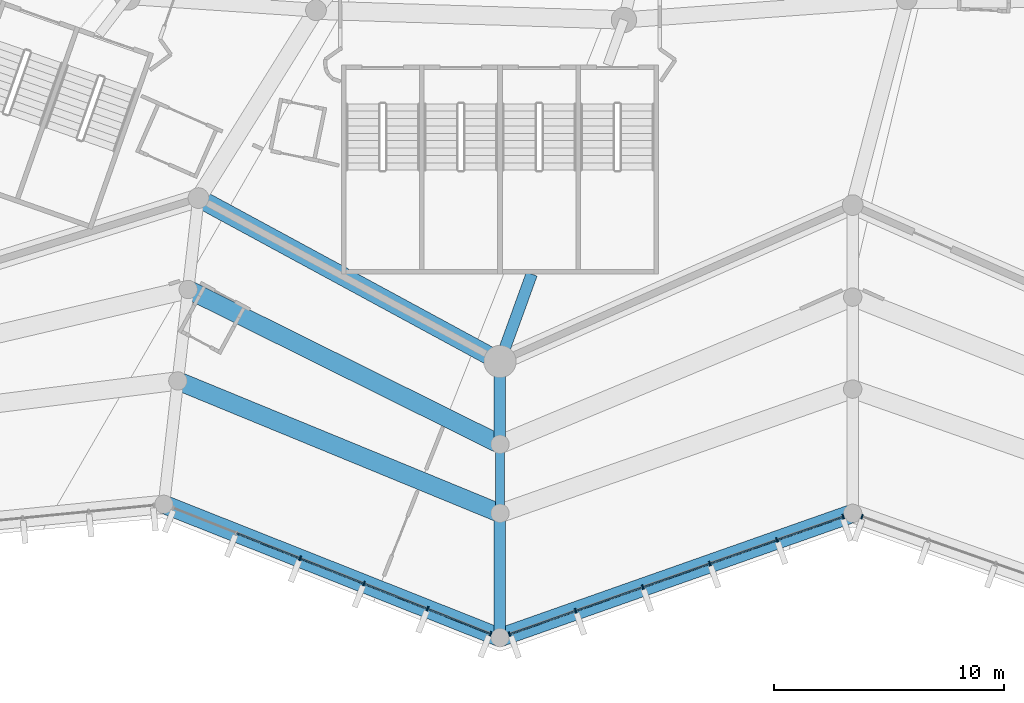
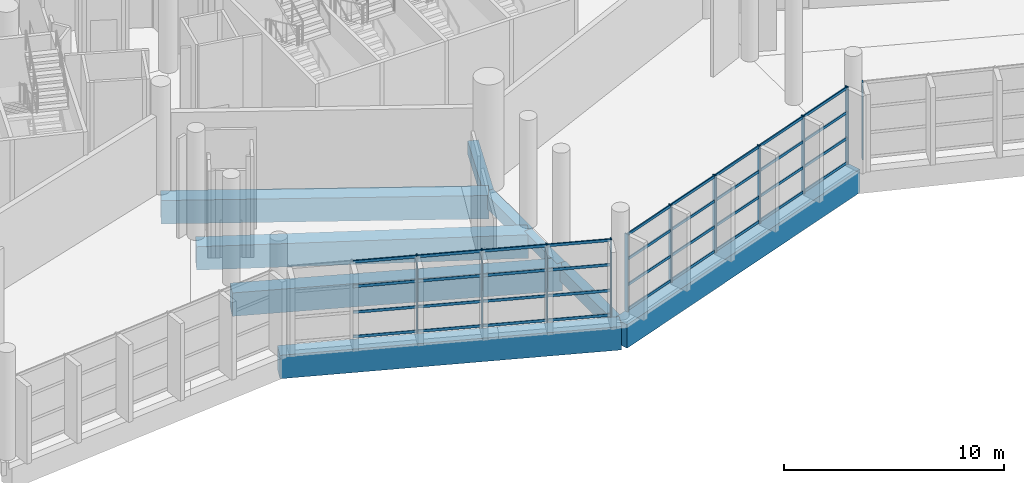
# One storey, part 12 of 249: 47 members, 9 beams, 3 elements without a shape of their own.
"""IFC4 building model written with IfcOpenShell, lengths in metres."""

import ifcopenshell
import ifcopenshell.guid

model = None  # the IFC model being written
_history = None  # IfcOwnerHistory: only IFC2X3 demands one
_inside = {}  # id of a spatial element -> (the spatial element, [elements in it])
_under = {}  # id of a project, library or spatial element -> (it, [spatial elements below it])
_declared = {}  # id of a project -> (the project, [libraries it declares])
_typed = {}  # id of a type object -> (the type object, [elements of that type])
_made_of = {}  # id of a material, layer set ... -> (it, [elements and type objects made of it])


def new_model(schema):
    """Start an empty IFC model of exactly this schema.

    Asked for "IFC4X3", IfcOpenShell would pick the latest addendum, in which some entities
    have other attributes; the version numbers below select the first issue.
    IFC2X3 requires an IfcOwnerHistory on every rooted entity: one is made here for all.
    """
    global model, _history
    if schema == "IFC4X3":
        model = ifcopenshell.file(schema_version=(4, 3, 0, 0))
    else:
        model = ifcopenshell.file(schema=schema)
    _inside.clear()
    _under.clear()
    _declared.clear()
    _typed.clear()
    _made_of.clear()
    _history = None
    if model.schema == "IFC2X3":
        org = make("IfcOrganization", Name="unknown")
        user = make(
            "IfcPersonAndOrganization",
            ThePerson=make("IfcPerson", FamilyName="unknown"),
            TheOrganization=org,
        )
        app = make(
            "IfcApplication",
            ApplicationDeveloper=org,
            Version="unknown",
            ApplicationFullName="unknown",
            ApplicationIdentifier="unknown",
        )
        _history = make(
            "IfcOwnerHistory",
            OwningUser=user,
            OwningApplication=app,
            ChangeAction="ADDED",
            CreationDate=0,
        )
    return model


def make(cls, **values):
    """One entity of the class cls with the attributes given. An attribute that is None is left unset."""
    return model.create_entity(
        cls, **{name: value for name, value in values.items() if value is not None}
    )


def rooted(cls, **values):
    """An entity with a GlobalId (a new one), such as an element, a storey or a relation."""
    return make(cls, GlobalId=ifcopenshell.guid.new(), OwnerHistory=_history, **values)


def si_unit(unit_type, name, prefix=None):
    """IfcSIUnit, for example si_unit("LENGTHUNIT", "METRE", prefix="MILLI")."""
    return make("IfcSIUnit", UnitType=unit_type, Prefix=prefix, Name=name)


def assignment(units):
    """IfcUnitAssignment: the units of a project."""
    return None if units is None else make("IfcUnitAssignment", Units=units)


def point(xyz):
    """IfcCartesianPoint."""
    return None if xyz is None else make("IfcCartesianPoint", Coordinates=xyz)


def direction(xyz):
    """IfcDirection."""
    return None if xyz is None else make("IfcDirection", DirectionRatios=xyz)


def frame(location, z_axis=None, x_axis=None):
    """IfcAxis2Placement3D, a coordinate frame: its origin and axes. An axis left out is left unset."""
    return make(
        "IfcAxis2Placement3D",
        Location=point(location),
        Axis=direction(z_axis),
        RefDirection=direction(x_axis),
    )


def frame_2d(location, x_axis=None):
    """IfcAxis2Placement2D, a coordinate frame in the plane: its origin and x axis."""
    return make(
        "IfcAxis2Placement2D", Location=point(location), RefDirection=direction(x_axis)
    )


def origin():
    """The frame at (0, 0, 0) with its axes left unset."""
    return frame((0.0, 0.0, 0.0))


def origin_2d():
    """The frame at (0, 0) in the plane with its x axis left unset."""
    return frame_2d((0.0, 0.0))


def place(relative_to, where):
    """IfcLocalPlacement: puts the frame where relative to a parent placement (None: the world)."""
    return make(
        "IfcLocalPlacement", PlacementRelTo=relative_to, RelativePlacement=where
    )


def context(
    kind, dimensions, precision=None, world=None, true_north=None, identifier=None
):
    """IfcGeometricRepresentationContext, for example the 3D "Model" context."""
    return make(
        "IfcGeometricRepresentationContext",
        ContextIdentifier=identifier,
        ContextType=kind,
        CoordinateSpaceDimension=dimensions,
        Precision=precision,
        WorldCoordinateSystem=world,
        TrueNorth=true_north,
    )


def subcontext(parent, identifier, kind, view, scale=None):
    """IfcGeometricRepresentationSubContext, for example "Body" below "Model"."""
    return make(
        "IfcGeometricRepresentationSubContext",
        ContextIdentifier=identifier,
        ContextType=kind,
        ParentContext=parent,
        TargetScale=scale,
        TargetView=view,
    )


def project(units=None, contexts=None):
    """IfcProject with its units and contexts."""
    return rooted(
        "IfcProject",
        Name="project",
        RepresentationContexts=contexts,
        UnitsInContext=assignment(units),
    )


def spatial(cls, under=None, at=None, **own):
    """A site, building, storey or space (cls), placed at a placement, below another one or the project."""
    s = rooted(cls, ObjectPlacement=at, **own)
    if under is not None:
        _under.setdefault(under.id(), (under, []))[1].append(s)
    return s


def profile(cls, at=None, kind="AREA", **sizes):
    """A parametric profile (cls). Its sizes go by their IFC names, for example OverallWidth=200.0."""
    return make(cls, ProfileType=kind, Position=at, **sizes)


def rectangle(**sizes):
    """IfcRectangleProfileDef."""
    return profile("IfcRectangleProfileDef", **sizes)


def extrude(swept, where, along, depth):
    """IfcExtrudedAreaSolid: the profile swept, set in the frame where, extruded along a direction by depth."""
    return make(
        "IfcExtrudedAreaSolid",
        SweptArea=swept,
        Position=where,
        ExtrudedDirection=direction(along),
        Depth=depth,
    )


def shape(context_of_items, identifier, shape_type, items):
    """IfcShapeRepresentation: the items that make up one representation, for example the "Body"."""
    return make(
        "IfcShapeRepresentation",
        ContextOfItems=context_of_items,
        RepresentationIdentifier=identifier,
        RepresentationType=shape_type,
        Items=items,
    )


def material(Name=None, Category=None):
    """IfcMaterial."""
    return make("IfcMaterial", Name=Name, Category=Category)


def layer(
    of_material, thickness, ventilated=None, Name=None, Category=None, Priority=None
):
    """IfcMaterialLayer: one layer of a wall or slab, of a material (None: an air gap)."""
    return make(
        "IfcMaterialLayer",
        Material=of_material,
        LayerThickness=thickness,
        IsVentilated=ventilated,
        Name=Name,
        Category=Category,
        Priority=Priority,
    )


def layer_set(layers, Name=None):
    """IfcMaterialLayerSet."""
    return make("IfcMaterialLayerSet", MaterialLayers=layers, LayerSetName=Name)


def material_profile(
    of_material, cross_section, Name=None, Category=None, Priority=None
):
    """IfcMaterialProfile: a cross section and its material."""
    return make(
        "IfcMaterialProfile",
        Name=Name,
        Material=of_material,
        Profile=cross_section,
        Priority=Priority,
        Category=Category,
    )


def profile_set(profiles, Name=None, composite=None):
    """IfcMaterialProfileSet."""
    return make(
        "IfcMaterialProfileSet",
        Name=Name,
        MaterialProfiles=profiles,
        CompositeProfile=composite,
    )


def made_of(thing, what):
    """Note that an element or type object is made of a material, layer set ...; save() writes the relation."""
    if what is not None:
        _made_of.setdefault(what.id(), (what, []))[1].append(thing)
    return thing


def type_object(cls, material=None, **own):
    """A type object (cls), such as IfcWallType, which elements share."""
    return made_of(rooted(cls, **own), material)


def element(
    cls,
    number,
    at=None,
    inside=None,
    cuts=None,
    type_object=None,
    material=None,
    context=None,
    identifier="Body",
    shape_type=None,
    held_by="IfcProductDefinitionShape",
    body=None,
    shapes=None,
    **own,
):
    """One element of the class cls, such as IfcWall. Its Tag is "e" and its number.

    at: its placement. inside: the storey or other place that contains it. cuts: it is an
    opening in that element (IfcRelVoidsElement). A single representation is given by context,
    identifier, shape_type and body (its items); several are given by shapes. held_by: the class
    of the entity that holds the representations. save() writes the other relations.
    """
    e = rooted(cls, Tag="e%d" % number, ObjectPlacement=at, **own)
    if body is not None:
        shapes = [shape(context, identifier, shape_type, body)]
    if shapes is not None:
        e.Representation = make(held_by, Representations=shapes)
    if inside is not None:
        _inside.setdefault(inside.id(), (inside, []))[1].append(e)
    if cuts is not None:
        rooted(
            "IfcRelVoidsElement", RelatingBuildingElement=cuts, RelatedOpeningElement=e
        )
    if type_object is not None:
        _typed.setdefault(type_object.id(), (type_object, []))[1].append(e)
    return made_of(e, material)


def aggregate(whole, parts):
    """IfcRelAggregates: a whole, such as a stair, and the parts it consists of."""
    return rooted("IfcRelAggregates", RelatingObject=whole, RelatedObjects=parts)


def save(model, path):
    """Write the relations noted so far, then the file.

    IfcRelAggregates (storeys below a building ...), IfcRelContainedInSpatialStructure (elements
    in a storey), IfcRelDefinesByType, IfcRelAssociatesMaterial and IfcRelDeclares: one each for
    every whole, place, type object, material and project.
    """
    for whole, parts in _under.values():
        aggregate(whole, parts)
    for where, things in _inside.values():
        rooted(
            "IfcRelContainedInSpatialStructure",
            RelatedElements=things,
            RelatingStructure=where,
        )
    for kind, things in _typed.values():
        rooted("IfcRelDefinesByType", RelatedObjects=things, RelatingType=kind)
    for what, things in _made_of.values():
        rooted("IfcRelAssociatesMaterial", RelatedObjects=things, RelatingMaterial=what)
    for by, libraries in _declared.values():
        rooted("IfcRelDeclares", RelatingContext=by, RelatedDefinitions=libraries)
    model.write(path)


model = new_model("IFC4")

# Units and contexts
model_context = context("Model", 3, precision=1e-05, world=origin(), true_north=direction((0.0, 1.0)))
body_context = subcontext(model_context, "Body", "Model", "MODEL_VIEW")
ifc_project = project(units=[si_unit("LENGTHUNIT", "METRE"), si_unit("AREAUNIT", "SQUARE_METRE"), si_unit("VOLUMEUNIT", "CUBIC_METRE"), si_unit("PLANEANGLEUNIT", "RADIAN"), si_unit("MASSUNIT", "GRAM", prefix="KILO")], contexts=[model_context])

# Site, building, storey
site_placement = place(None, origin())
site = spatial("IfcSite", under=ifc_project, at=site_placement, CompositionType="ELEMENT")
building_placement = place(site_placement, origin())
building = spatial("IfcBuilding", under=site, at=building_placement, Name="Meseta Stadium", CompositionType="ELEMENT")
storey_placement = place(building_placement, frame((0.0, 0.0, 12.0)))
storey = spatial("IfcBuildingStorey", under=building, at=storey_placement, Name="L02", CompositionType="ELEMENT", Elevation=12.0)

# Beams
ifc_material_1 = material(Name="Concrete C40/50", Category="concrete")
ifc_material_profile_1 = material_profile(ifc_material_1, rectangle(XDim=0.39990234375, YDim=0.60009765625, at=origin_2d()), Name="RC 400x600")
ifc_profile_set_1 = profile_set([ifc_material_profile_1], Name="Concrete C40/50")
beam_type_1 = type_object("IfcBeamType", Name="RC beam 400x600", PredefinedType="BEAM", material=ifc_profile_set_1)
beam_1_placement = place(storey_placement, frame((-38.333251953125, -109.0, -0.64990234375), z_axis=(0.0, -1.0, 0.0), x_axis=(1.0, 0.0, 0.0)))
element("IfcBeam", 1, at=beam_1_placement, inside=storey, type_object=beam_type_1, Name="L02 radial beam frame 44 line M to Q", PredefinedType="BEAM", context=body_context, shape_type="SweptSolid", body=[
    extrude(rectangle(XDim=0.39990234375, YDim=0.60009765625, at=origin_2d()), origin(), (0.0, 0.0, 1.0), 3.0),
])
ifc_material_2 = material(Name="Concrete C40/50", Category="concrete")
ifc_material_profile_2 = material_profile(ifc_material_2, rectangle(XDim=0.5, YDim=0.75, at=origin_2d()), Name="RC 500x750")
ifc_profile_set_2 = profile_set([ifc_material_profile_2], Name="Concrete C40/50")
beam_type_2 = type_object("IfcBeamType", Name="RC beam 500x750", PredefinedType="BEAM", material=ifc_profile_set_2)
beam_2_placement = place(storey_placement, frame((-36.9541015625, -101.60009765625, -0.72509765625), z_axis=(-0.341175633366, -0.939999567658, 0.0), x_axis=(0.939999567658, -0.341175633366, 0.0)))
element("IfcBeam", 2, at=beam_2_placement, inside=storey, type_object=beam_type_2, Name="L02 radial beam frame 44 line P to R", PredefinedType="BEAM", context=body_context, shape_type="SweptSolid", body=[
    extrude(rectangle(XDim=0.5, YDim=0.75, at=origin_2d()), origin(), (0.0, 0.0, 1.0), 4.042236328125),
])
beam_3_placement = place(storey_placement, frame((-38.333251953125, -105.39990234375, -0.72509765625), z_axis=(0.0, -1.0, 0.0), x_axis=(1.0, 0.0, 0.0)))
element("IfcBeam", 3, at=beam_3_placement, inside=storey, type_object=beam_type_2, Name="L02 radial beam frame 44 line R to M", PredefinedType="BEAM", context=body_context, shape_type="SweptSolid", body=[
    extrude(rectangle(XDim=0.5, YDim=0.75, at=origin_2d()), origin(), (0.0, 0.0, 1.0), 3.60009765625),
])
beam_4_placement = place(storey_placement, frame((-38.333251953125, -112.0, -0.72509765625), z_axis=(0.0, -1.0, 0.0), x_axis=(1.0, 0.0, 0.0)))
element("IfcBeam", 4, at=beam_4_placement, inside=storey, type_object=beam_type_2, Name="L02 radial beam frame 44 line Q to O", PredefinedType="BEAM", context=body_context, shape_type="SweptSolid", body=[
    extrude(rectangle(XDim=0.5, YDim=0.75, at=origin_2d()), origin(), (0.0, 0.0, 1.0), 5.39990234375),
])
ifc_material_3 = material(Name="Concrete C40/50", Category="concrete")
ifc_material_profile_3 = material_profile(ifc_material_3, rectangle(XDim=0.800048828125, YDim=1.300048828125, at=origin_2d()), Name="RC 800x1300")
ifc_profile_set_3 = profile_set([ifc_material_profile_3], Name="Concrete C40/50")
beam_type_3 = type_object("IfcBeamType", Name="RC beam 800x1300", PredefinedType="BEAM", material=ifc_profile_set_3)
beam_5_placement = place(storey_placement, frame((-51.44140625, -98.29443359375, -1.0), z_axis=(0.879145348638, -0.476553728311, 0.0), x_axis=(0.476553728311, 0.879145348638, 0.0)))
element("IfcBeam", 5, at=beam_5_placement, inside=storey, type_object=beam_type_3, Name="L02 ring beam frame 43 line R", PredefinedType="BEAM", context=body_context, shape_type="SweptSolid", body=[
    extrude(rectangle(XDim=0.800048828125, YDim=1.300048828125, at=origin_2d()), origin(), (0.0, 0.0, 1.0), 14.91015625),
])
beam_6_placement = place(storey_placement, frame((-51.889404296875, -102.269287109375, -1.0), z_axis=(0.895675432746, -0.444708352941, 0.0), x_axis=(0.444708352941, 0.895675432746, 0.0)))
element("IfcBeam", 6, at=beam_6_placement, inside=storey, type_object=beam_type_3, Name="L02 ring beam frame 43 line M", PredefinedType="BEAM", context=body_context, shape_type="SweptSolid", body=[
    extrude(rectangle(XDim=0.800048828125, YDim=1.300048828125, at=origin_2d()), origin(), (0.0, 0.0, 1.0), 15.135009765625),
])
beam_7_placement = place(storey_placement, frame((-52.337158203125, -106.244140625, -1.0), z_axis=(0.924921023006, -0.380159310293, 0.0), x_axis=(0.380159310293, 0.924921023006, 0.0)))
element("IfcBeam", 7, at=beam_7_placement, inside=storey, type_object=beam_type_3, Name="L02 ring beam frame 43 line Q", PredefinedType="BEAM", context=body_context, shape_type="SweptSolid", body=[
    extrude(rectangle(XDim=0.800048828125, YDim=1.300048828125, at=origin_2d()), origin(), (0.0, 0.0, 1.0), 15.140625),
])
beam_8_placement = place(storey_placement, frame((-52.94189453125, -111.610107421875, -1.0), z_axis=(0.929649573326, -0.368444935933, 0.0), x_axis=(0.368444935933, 0.929649573326, 0.0)))
element("IfcBeam", 8, at=beam_8_placement, inside=storey, type_object=beam_type_3, Name="L02 ring beam frame 43 line O", PredefinedType="BEAM", context=body_context, shape_type="SweptSolid", body=[
    extrude(rectangle(XDim=0.800048828125, YDim=1.300048828125, at=origin_2d()), origin(), (0.0, 0.0, 1.0), 15.714111328125),
])
beam_9_placement = place(storey_placement, frame((-38.333251953125, -117.39990234375, -1.0), z_axis=(0.943218573019, 0.332172731439, 0.0), x_axis=(-0.332172731439, 0.943218573019, 0.0)))
element("IfcBeam", 9, at=beam_9_placement, inside=storey, type_object=beam_type_3, Name="L02 ring beam frame 44 line O", PredefinedType="BEAM", context=body_context, shape_type="SweptSolid", body=[
    extrude(rectangle(XDim=0.800048828125, YDim=1.300048828125, at=origin_2d()), origin(), (0.0, 0.0, 1.0), 16.25634765625),
])

# Curtain wall, members
ifc_material_4 = material(Name="Aluminium", Category="aluminium")
ifc_layer = layer(ifc_material_4, 0.199951171875)
ifc_layer_set = layer_set([ifc_layer], Name="Ring shopfront curtain wall")
curtain_wall_type = type_object("IfcCurtainWallType", Name="Ring shopfront curtain wall", PredefinedType="NOTDEFINED", material=ifc_layer_set)
curtain_wall_1_placement = place(storey_placement, origin())
curtain_wall_1 = element("IfcCurtainWall", 10, at=curtain_wall_1_placement, inside=storey, type_object=curtain_wall_type, Name="Ring glazing L02 F43", PredefinedType="NOTDEFINED")
ifc_material_5 = material(Name="Aluminium", Category="aluminium")
ifc_material_profile_4 = material_profile(ifc_material_5, rectangle(XDim=0.199951171875, YDim=0.06005859375, at=origin_2d()), Name="CW 200x60")
ifc_profile_set_4 = profile_set([ifc_material_profile_4], Name="Aluminium")
member_type_1 = type_object("IfcMemberType", Name="Ring CW mullion 60x200", PredefinedType="MULLION", material=ifc_profile_set_4)
member_1_placement = place(storey_placement, frame((-47.02392578125, -113.95556640625, 0.0), z_axis=(0.0, 0.0, 1.0), x_axis=(0.368453592088, 0.929646142614, 0.0)))
member_1 = element("IfcMember", 11, at=member_1_placement, type_object=member_type_1, Name="CWR1 mullion 3", PredefinedType="MULLION", context=body_context, shape_type="SweptSolid", body=[
    extrude(rectangle(XDim=0.199951171875, YDim=0.06005859375, at=origin_2d()), origin(), (0.0, 0.0, 1.0), 4.300048828125),
])
member_2_placement = place(storey_placement, frame((-44.2509765625, -115.054443359375, 0.0), z_axis=(0.0, 0.0, 1.0), x_axis=(0.368453592088, 0.929646142614, 0.0)))
member_2 = element("IfcMember", 12, at=member_2_placement, type_object=member_type_1, Name="CWR1 mullion 4", PredefinedType="MULLION", context=body_context, shape_type="SweptSolid", body=[
    extrude(rectangle(XDim=0.199951171875, YDim=0.06005859375, at=origin_2d()), origin(), (0.0, 0.0, 1.0), 4.300048828125),
])
member_3_placement = place(storey_placement, frame((-41.47802734375, -116.153564453125, 0.0), z_axis=(0.0, 0.0, 1.0), x_axis=(0.368453592088, 0.929646142614, 0.0)))
member_3 = element("IfcMember", 13, at=member_3_placement, type_object=member_type_1, Name="CWR1 mullion 5", PredefinedType="MULLION", context=body_context, shape_type="SweptSolid", body=[
    extrude(rectangle(XDim=0.199951171875, YDim=0.06005859375, at=origin_2d()), origin(), (0.0, 0.0, 1.0), 4.300048828125),
])
member_4_placement = place(storey_placement, frame((-38.733154296875, -117.241455078125, 0.0), z_axis=(0.0, 0.0, 1.0), x_axis=(0.368453592088, 0.929646142614, 0.0)))
member_4 = element("IfcMember", 14, at=member_4_placement, type_object=member_type_1, Name="CWR1 mullion 6", PredefinedType="MULLION", context=body_context, shape_type="SweptSolid", body=[
    extrude(rectangle(XDim=0.199951171875, YDim=0.06005859375, at=origin_2d()), origin(), (0.0, 0.0, 1.0), 4.300048828125),
])

curtain_wall_2_placement = place(storey_placement, origin())
curtain_wall_2 = element("IfcCurtainWall", 15, at=curtain_wall_2_placement, inside=storey, type_object=curtain_wall_type, Name="Ring glazing L02 F44", PredefinedType="NOTDEFINED")
member_5_placement = place(storey_placement, frame((-37.927734375, -117.257080078125, 0.0), z_axis=(0.0, 0.0, 1.0), x_axis=(-0.332174330154, 0.943218009999, 0.0)))
member_5 = element("IfcMember", 16, at=member_5_placement, type_object=member_type_1, Name="CWR1 mullion 1", PredefinedType="MULLION", context=body_context, shape_type="SweptSolid", body=[
    extrude(rectangle(XDim=0.199951171875, YDim=0.06005859375, at=origin_2d()), origin(), (0.0, 0.0, 1.0), 4.300048828125),
])
member_6_placement = place(storey_placement, frame((-35.040283203125, -116.240234375, 0.0), z_axis=(0.0, 0.0, 1.0), x_axis=(-0.332174330154, 0.943218009999, 0.0)))
member_6 = element("IfcMember", 17, at=member_6_placement, type_object=member_type_1, Name="CWR1 mullion 2", PredefinedType="MULLION", context=body_context, shape_type="SweptSolid", body=[
    extrude(rectangle(XDim=0.199951171875, YDim=0.06005859375, at=origin_2d()), origin(), (0.0, 0.0, 1.0), 4.300048828125),
])
member_7_placement = place(storey_placement, frame((-32.12451171875, -115.21337890625, 0.0), z_axis=(0.0, 0.0, 1.0), x_axis=(-0.332174330154, 0.943218009999, 0.0)))
member_7 = element("IfcMember", 18, at=member_7_placement, type_object=member_type_1, Name="CWR1 mullion 3", PredefinedType="MULLION", context=body_context, shape_type="SweptSolid", body=[
    extrude(rectangle(XDim=0.199951171875, YDim=0.06005859375, at=origin_2d()), origin(), (0.0, 0.0, 1.0), 4.300048828125),
])
member_8_placement = place(storey_placement, frame((-29.208740234375, -114.1865234375, 0.0), z_axis=(0.0, 0.0, 1.0), x_axis=(-0.332174330154, 0.943218009999, 0.0)))
member_8 = element("IfcMember", 19, at=member_8_placement, type_object=member_type_1, Name="CWR1 mullion 4", PredefinedType="MULLION", context=body_context, shape_type="SweptSolid", body=[
    extrude(rectangle(XDim=0.199951171875, YDim=0.06005859375, at=origin_2d()), origin(), (0.0, 0.0, 1.0), 4.300048828125),
])
member_9_placement = place(storey_placement, frame((-26.29296875, -113.15966796875, 0.0), z_axis=(0.0, 0.0, 1.0), x_axis=(-0.332174330154, 0.943218009999, 0.0)))
member_9 = element("IfcMember", 20, at=member_9_placement, type_object=member_type_1, Name="CWR1 mullion 5", PredefinedType="MULLION", context=body_context, shape_type="SweptSolid", body=[
    extrude(rectangle(XDim=0.199951171875, YDim=0.06005859375, at=origin_2d()), origin(), (0.0, 0.0, 1.0), 4.300048828125),
])
member_10_placement = place(storey_placement, frame((-23.405517578125, -112.142822265625, 0.0), z_axis=(0.0, 0.0, 1.0), x_axis=(-0.332174330154, 0.943218009999, 0.0)))
member_10 = element("IfcMember", 21, at=member_10_placement, type_object=member_type_1, Name="CWR1 mullion 6", PredefinedType="MULLION", context=body_context, shape_type="SweptSolid", body=[
    extrude(rectangle(XDim=0.199951171875, YDim=0.06005859375, at=origin_2d()), origin(), (0.0, 0.0, 1.0), 4.300048828125),
])

# Curtain wall, member
curtain_wall_3_placement = place(storey_placement, origin())
curtain_wall_3 = element("IfcCurtainWall", 22, at=curtain_wall_3_placement, inside=storey, type_object=curtain_wall_type, Name="Ring glazing L02 F45", PredefinedType="NOTDEFINED")
member_11_placement = place(storey_placement, frame((-22.594482421875, -112.142822265625, 0.0), z_axis=(0.0, 0.0, 1.0), x_axis=(0.332174330154, 0.943218009999, 0.0)))
member_11 = element("IfcMember", 23, at=member_11_placement, type_object=member_type_1, Name="CWR1 mullion 1", PredefinedType="MULLION", context=body_context, shape_type="SweptSolid", body=[
    extrude(rectangle(XDim=0.199951171875, YDim=0.06005859375, at=origin_2d()), origin(), (0.0, 0.0, 1.0), 4.300048828125),
])
aggregate(curtain_wall_3, [member_11])

# Member
ifc_material_6 = material(Name="Aluminium", Category="aluminium")
ifc_material_profile_5 = material_profile(ifc_material_6, rectangle(XDim=0.06005859375, YDim=0.14990234375, at=origin_2d()), Name="CW 60x150")
ifc_profile_set_5 = profile_set([ifc_material_profile_5], Name="Aluminium")
member_type_2 = type_object("IfcMemberType", Name="Ring CW transom 60x150", PredefinedType="USERDEFINED", material=ifc_profile_set_5)
member_12_placement = place(storey_placement, frame((-49.76904296875, -112.86767578125, 0.074951171875), z_axis=(0.929641553255, -0.368465171301, 0.0), x_axis=(0.368465171301, 0.929641553255, 0.0)))
member_12 = element("IfcMember", 24, at=member_12_placement, type_object=member_type_2, Name="CWR1 transom 2.1", ObjectType="TRANSOM", PredefinedType="USERDEFINED", context=body_context, shape_type="SweptSolid", body=[
    extrude(rectangle(XDim=0.06005859375, YDim=0.14990234375, at=origin_2d()), origin(), (0.0, 0.0, 1.0), 2.922607421875),
])

member_13_placement = place(storey_placement, frame((-49.76904296875, -112.86767578125, 1.433349609375), z_axis=(0.929641553255, -0.368465171301, 0.0), x_axis=(0.368465171301, 0.929641553255, 0.0)))
member_13 = element("IfcMember", 25, at=member_13_placement, type_object=member_type_2, Name="CWR1 transom 2.2", ObjectType="TRANSOM", PredefinedType="USERDEFINED", context=body_context, shape_type="SweptSolid", body=[
    extrude(rectangle(XDim=0.06005859375, YDim=0.14990234375, at=origin_2d()), origin(), (0.0, 0.0, 1.0), 2.922607421875),
])

member_14_placement = place(storey_placement, frame((-49.76904296875, -112.86767578125, 2.86669921875), z_axis=(0.929641553255, -0.368465171301, 0.0), x_axis=(0.368465171301, 0.929641553255, 0.0)))
member_14 = element("IfcMember", 26, at=member_14_placement, type_object=member_type_2, Name="CWR1 transom 2.3", ObjectType="TRANSOM", PredefinedType="USERDEFINED", context=body_context, shape_type="SweptSolid", body=[
    extrude(rectangle(XDim=0.06005859375, YDim=0.14990234375, at=origin_2d()), origin(), (0.0, 0.0, 1.0), 2.922607421875),
])

member_15_placement = place(storey_placement, frame((-49.76904296875, -112.86767578125, 4.22509765625), z_axis=(0.929641553255, -0.368465171301, 0.0), x_axis=(0.368465171301, 0.929641553255, 0.0)))
member_15 = element("IfcMember", 27, at=member_15_placement, type_object=member_type_2, Name="CWR1 transom 2.4", ObjectType="TRANSOM", PredefinedType="USERDEFINED", context=body_context, shape_type="SweptSolid", body=[
    extrude(rectangle(XDim=0.06005859375, YDim=0.14990234375, at=origin_2d()), origin(), (0.0, 0.0, 1.0), 2.922607421875),
])

member_16_placement = place(storey_placement, frame((-46.99609375, -113.966552734375, 0.074951171875), z_axis=(0.929641553255, -0.368465171301, 0.0), x_axis=(0.368465171301, 0.929641553255, 0.0)))
member_16 = element("IfcMember", 28, at=member_16_placement, type_object=member_type_2, Name="CWR1 transom 3.1", ObjectType="TRANSOM", PredefinedType="USERDEFINED", context=body_context, shape_type="SweptSolid", body=[
    extrude(rectangle(XDim=0.06005859375, YDim=0.14990234375, at=origin_2d()), origin(), (0.0, 0.0, 1.0), 2.922607421875),
])

member_17_placement = place(storey_placement, frame((-46.99609375, -113.966552734375, 1.433349609375), z_axis=(0.929641553255, -0.368465171301, 0.0), x_axis=(0.368465171301, 0.929641553255, 0.0)))
member_17 = element("IfcMember", 29, at=member_17_placement, type_object=member_type_2, Name="CWR1 transom 3.2", ObjectType="TRANSOM", PredefinedType="USERDEFINED", context=body_context, shape_type="SweptSolid", body=[
    extrude(rectangle(XDim=0.06005859375, YDim=0.14990234375, at=origin_2d()), origin(), (0.0, 0.0, 1.0), 2.922607421875),
])

member_18_placement = place(storey_placement, frame((-46.99609375, -113.966552734375, 2.86669921875), z_axis=(0.929641553255, -0.368465171301, 0.0), x_axis=(0.368465171301, 0.929641553255, 0.0)))
member_18 = element("IfcMember", 30, at=member_18_placement, type_object=member_type_2, Name="CWR1 transom 3.3", ObjectType="TRANSOM", PredefinedType="USERDEFINED", context=body_context, shape_type="SweptSolid", body=[
    extrude(rectangle(XDim=0.06005859375, YDim=0.14990234375, at=origin_2d()), origin(), (0.0, 0.0, 1.0), 2.922607421875),
])

member_19_placement = place(storey_placement, frame((-46.99609375, -113.966552734375, 4.22509765625), z_axis=(0.929641553255, -0.368465171301, 0.0), x_axis=(0.368465171301, 0.929641553255, 0.0)))
member_19 = element("IfcMember", 31, at=member_19_placement, type_object=member_type_2, Name="CWR1 transom 3.4", ObjectType="TRANSOM", PredefinedType="USERDEFINED", context=body_context, shape_type="SweptSolid", body=[
    extrude(rectangle(XDim=0.06005859375, YDim=0.14990234375, at=origin_2d()), origin(), (0.0, 0.0, 1.0), 2.922607421875),
])

member_20_placement = place(storey_placement, frame((-44.22314453125, -115.065673828125, 0.074951171875), z_axis=(0.929641553255, -0.368465171301, 0.0), x_axis=(0.368465171301, 0.929641553255, 0.0)))
member_20 = element("IfcMember", 32, at=member_20_placement, type_object=member_type_2, Name="CWR1 transom 4.1", ObjectType="TRANSOM", PredefinedType="USERDEFINED", context=body_context, shape_type="SweptSolid", body=[
    extrude(rectangle(XDim=0.06005859375, YDim=0.14990234375, at=origin_2d()), origin(), (0.0, 0.0, 1.0), 2.922607421875),
])

member_21_placement = place(storey_placement, frame((-44.22314453125, -115.065673828125, 1.433349609375), z_axis=(0.929641553255, -0.368465171301, 0.0), x_axis=(0.368465171301, 0.929641553255, 0.0)))
member_21 = element("IfcMember", 33, at=member_21_placement, type_object=member_type_2, Name="CWR1 transom 4.2", ObjectType="TRANSOM", PredefinedType="USERDEFINED", context=body_context, shape_type="SweptSolid", body=[
    extrude(rectangle(XDim=0.06005859375, YDim=0.14990234375, at=origin_2d()), origin(), (0.0, 0.0, 1.0), 2.922607421875),
])

member_22_placement = place(storey_placement, frame((-44.22314453125, -115.065673828125, 2.86669921875), z_axis=(0.929641553255, -0.368465171301, 0.0), x_axis=(0.368465171301, 0.929641553255, 0.0)))
member_22 = element("IfcMember", 34, at=member_22_placement, type_object=member_type_2, Name="CWR1 transom 4.3", ObjectType="TRANSOM", PredefinedType="USERDEFINED", context=body_context, shape_type="SweptSolid", body=[
    extrude(rectangle(XDim=0.06005859375, YDim=0.14990234375, at=origin_2d()), origin(), (0.0, 0.0, 1.0), 2.922607421875),
])

member_23_placement = place(storey_placement, frame((-44.22314453125, -115.065673828125, 4.22509765625), z_axis=(0.929641553255, -0.368465171301, 0.0), x_axis=(0.368465171301, 0.929641553255, 0.0)))
member_23 = element("IfcMember", 35, at=member_23_placement, type_object=member_type_2, Name="CWR1 transom 4.4", ObjectType="TRANSOM", PredefinedType="USERDEFINED", context=body_context, shape_type="SweptSolid", body=[
    extrude(rectangle(XDim=0.06005859375, YDim=0.14990234375, at=origin_2d()), origin(), (0.0, 0.0, 1.0), 2.922607421875),
])

member_24_placement = place(storey_placement, frame((-41.4501953125, -116.16455078125, 0.074951171875), z_axis=(0.929636230527, -0.368478600316, 0.0), x_axis=(0.368478600316, 0.929636230527, 0.0)))
member_24 = element("IfcMember", 36, at=member_24_placement, type_object=member_type_2, Name="CWR1 transom 5.1", ObjectType="TRANSOM", PredefinedType="USERDEFINED", context=body_context, shape_type="SweptSolid", body=[
    extrude(rectangle(XDim=0.06005859375, YDim=0.14990234375, at=origin_2d()), origin(), (0.0, 0.0, 1.0), 2.892822265625),
])

member_25_placement = place(storey_placement, frame((-41.4501953125, -116.16455078125, 1.433349609375), z_axis=(0.929636230527, -0.368478600316, 0.0), x_axis=(0.368478600316, 0.929636230527, 0.0)))
member_25 = element("IfcMember", 37, at=member_25_placement, type_object=member_type_2, Name="CWR1 transom 5.2", ObjectType="TRANSOM", PredefinedType="USERDEFINED", context=body_context, shape_type="SweptSolid", body=[
    extrude(rectangle(XDim=0.06005859375, YDim=0.14990234375, at=origin_2d()), origin(), (0.0, 0.0, 1.0), 2.892822265625),
])

member_26_placement = place(storey_placement, frame((-41.4501953125, -116.16455078125, 2.86669921875), z_axis=(0.929636230527, -0.368478600316, 0.0), x_axis=(0.368478600316, 0.929636230527, 0.0)))
member_26 = element("IfcMember", 38, at=member_26_placement, type_object=member_type_2, Name="CWR1 transom 5.3", ObjectType="TRANSOM", PredefinedType="USERDEFINED", context=body_context, shape_type="SweptSolid", body=[
    extrude(rectangle(XDim=0.06005859375, YDim=0.14990234375, at=origin_2d()), origin(), (0.0, 0.0, 1.0), 2.892822265625),
])

member_27_placement = place(storey_placement, frame((-41.4501953125, -116.16455078125, 4.22509765625), z_axis=(0.929636230527, -0.368478600316, 0.0), x_axis=(0.368478600316, 0.929636230527, 0.0)))
member_27 = element("IfcMember", 39, at=member_27_placement, type_object=member_type_2, Name="CWR1 transom 5.4", ObjectType="TRANSOM", PredefinedType="USERDEFINED", context=body_context, shape_type="SweptSolid", body=[
    extrude(rectangle(XDim=0.06005859375, YDim=0.14990234375, at=origin_2d()), origin(), (0.0, 0.0, 1.0), 2.892822265625),
])

aggregate(curtain_wall_1, [member_1, member_2, member_3, member_4, member_12, member_13, member_14, member_15, member_16, member_17, member_18, member_19, member_20, member_21, member_22, member_23, member_24, member_25, member_26, member_27])

member_28_placement = place(storey_placement, frame((-37.8994140625, -117.2470703125, 0.074951171875), z_axis=(0.943228878245, 0.332143467863, 0.0), x_axis=(-0.332143467863, 0.943228878245, 0.0)))
member_28 = element("IfcMember", 40, at=member_28_placement, type_object=member_type_2, Name="CWR1 transom 1.1", ObjectType="TRANSOM", PredefinedType="USERDEFINED", context=body_context, shape_type="SweptSolid", body=[
    extrude(rectangle(XDim=0.06005859375, YDim=0.14990234375, at=origin_2d()), origin(), (0.0, 0.0, 1.0), 3.001220703125),
])

member_29_placement = place(storey_placement, frame((-37.8994140625, -117.2470703125, 1.433349609375), z_axis=(0.943228878245, 0.332143467863, 0.0), x_axis=(-0.332143467863, 0.943228878245, 0.0)))
member_29 = element("IfcMember", 41, at=member_29_placement, type_object=member_type_2, Name="CWR1 transom 1.2", ObjectType="TRANSOM", PredefinedType="USERDEFINED", context=body_context, shape_type="SweptSolid", body=[
    extrude(rectangle(XDim=0.06005859375, YDim=0.14990234375, at=origin_2d()), origin(), (0.0, 0.0, 1.0), 3.001220703125),
])

member_30_placement = place(storey_placement, frame((-37.8994140625, -117.2470703125, 2.86669921875), z_axis=(0.943228878245, 0.332143467863, 0.0), x_axis=(-0.332143467863, 0.943228878245, 0.0)))
member_30 = element("IfcMember", 42, at=member_30_placement, type_object=member_type_2, Name="CWR1 transom 1.3", ObjectType="TRANSOM", PredefinedType="USERDEFINED", context=body_context, shape_type="SweptSolid", body=[
    extrude(rectangle(XDim=0.06005859375, YDim=0.14990234375, at=origin_2d()), origin(), (0.0, 0.0, 1.0), 3.001220703125),
])

member_31_placement = place(storey_placement, frame((-37.8994140625, -117.2470703125, 4.22509765625), z_axis=(0.943228878245, 0.332143467863, 0.0), x_axis=(-0.332143467863, 0.943228878245, 0.0)))
member_31 = element("IfcMember", 43, at=member_31_placement, type_object=member_type_2, Name="CWR1 transom 1.4", ObjectType="TRANSOM", PredefinedType="USERDEFINED", context=body_context, shape_type="SweptSolid", body=[
    extrude(rectangle(XDim=0.06005859375, YDim=0.14990234375, at=origin_2d()), origin(), (0.0, 0.0, 1.0), 3.001220703125),
])

member_32_placement = place(storey_placement, frame((-35.011962890625, -116.230224609375, 0.074951171875), z_axis=(0.943225032885, 0.332154387808, 0.0), x_axis=(-0.332154387808, 0.943225032885, 0.0)))
member_32 = element("IfcMember", 44, at=member_32_placement, type_object=member_type_2, Name="CWR1 transom 2.1", ObjectType="TRANSOM", PredefinedType="USERDEFINED", context=body_context, shape_type="SweptSolid", body=[
    extrude(rectangle(XDim=0.06005859375, YDim=0.14990234375, at=origin_2d()), origin(), (0.0, 0.0, 1.0), 3.03125),
])

member_33_placement = place(storey_placement, frame((-35.011962890625, -116.230224609375, 1.433349609375), z_axis=(0.943225032885, 0.332154387808, 0.0), x_axis=(-0.332154387808, 0.943225032885, 0.0)))
member_33 = element("IfcMember", 45, at=member_33_placement, type_object=member_type_2, Name="CWR1 transom 2.2", ObjectType="TRANSOM", PredefinedType="USERDEFINED", context=body_context, shape_type="SweptSolid", body=[
    extrude(rectangle(XDim=0.06005859375, YDim=0.14990234375, at=origin_2d()), origin(), (0.0, 0.0, 1.0), 3.03125),
])

member_34_placement = place(storey_placement, frame((-35.011962890625, -116.230224609375, 2.86669921875), z_axis=(0.943225032885, 0.332154387808, 0.0), x_axis=(-0.332154387808, 0.943225032885, 0.0)))
member_34 = element("IfcMember", 46, at=member_34_placement, type_object=member_type_2, Name="CWR1 transom 2.3", ObjectType="TRANSOM", PredefinedType="USERDEFINED", context=body_context, shape_type="SweptSolid", body=[
    extrude(rectangle(XDim=0.06005859375, YDim=0.14990234375, at=origin_2d()), origin(), (0.0, 0.0, 1.0), 3.03125),
])

member_35_placement = place(storey_placement, frame((-35.011962890625, -116.230224609375, 4.22509765625), z_axis=(0.943225032885, 0.332154387808, 0.0), x_axis=(-0.332154387808, 0.943225032885, 0.0)))
member_35 = element("IfcMember", 47, at=member_35_placement, type_object=member_type_2, Name="CWR1 transom 2.4", ObjectType="TRANSOM", PredefinedType="USERDEFINED", context=body_context, shape_type="SweptSolid", body=[
    extrude(rectangle(XDim=0.06005859375, YDim=0.14990234375, at=origin_2d()), origin(), (0.0, 0.0, 1.0), 3.03125),
])

member_36_placement = place(storey_placement, frame((-32.09619140625, -115.203369140625, 0.074951171875), z_axis=(0.943225032885, 0.332154387808, 0.0), x_axis=(-0.332154387808, 0.943225032885, 0.0)))
member_36 = element("IfcMember", 48, at=member_36_placement, type_object=member_type_2, Name="CWR1 transom 3.1", ObjectType="TRANSOM", PredefinedType="USERDEFINED", context=body_context, shape_type="SweptSolid", body=[
    extrude(rectangle(XDim=0.06005859375, YDim=0.14990234375, at=origin_2d()), origin(), (0.0, 0.0, 1.0), 3.03125),
])

member_37_placement = place(storey_placement, frame((-32.09619140625, -115.203369140625, 1.433349609375), z_axis=(0.943225032885, 0.332154387808, 0.0), x_axis=(-0.332154387808, 0.943225032885, 0.0)))
member_37 = element("IfcMember", 49, at=member_37_placement, type_object=member_type_2, Name="CWR1 transom 3.2", ObjectType="TRANSOM", PredefinedType="USERDEFINED", context=body_context, shape_type="SweptSolid", body=[
    extrude(rectangle(XDim=0.06005859375, YDim=0.14990234375, at=origin_2d()), origin(), (0.0, 0.0, 1.0), 3.03125),
])

member_38_placement = place(storey_placement, frame((-32.09619140625, -115.203369140625, 2.86669921875), z_axis=(0.943225032885, 0.332154387808, 0.0), x_axis=(-0.332154387808, 0.943225032885, 0.0)))
member_38 = element("IfcMember", 50, at=member_38_placement, type_object=member_type_2, Name="CWR1 transom 3.3", ObjectType="TRANSOM", PredefinedType="USERDEFINED", context=body_context, shape_type="SweptSolid", body=[
    extrude(rectangle(XDim=0.06005859375, YDim=0.14990234375, at=origin_2d()), origin(), (0.0, 0.0, 1.0), 3.03125),
])

member_39_placement = place(storey_placement, frame((-32.09619140625, -115.203369140625, 4.22509765625), z_axis=(0.943225032885, 0.332154387808, 0.0), x_axis=(-0.332154387808, 0.943225032885, 0.0)))
member_39 = element("IfcMember", 51, at=member_39_placement, type_object=member_type_2, Name="CWR1 transom 3.4", ObjectType="TRANSOM", PredefinedType="USERDEFINED", context=body_context, shape_type="SweptSolid", body=[
    extrude(rectangle(XDim=0.06005859375, YDim=0.14990234375, at=origin_2d()), origin(), (0.0, 0.0, 1.0), 3.03125),
])

member_40_placement = place(storey_placement, frame((-29.180419921875, -114.176513671875, 0.074951171875), z_axis=(0.943225032885, 0.332154387808, 0.0), x_axis=(-0.332154387808, 0.943225032885, 0.0)))
member_40 = element("IfcMember", 52, at=member_40_placement, type_object=member_type_2, Name="CWR1 transom 4.1", ObjectType="TRANSOM", PredefinedType="USERDEFINED", context=body_context, shape_type="SweptSolid", body=[
    extrude(rectangle(XDim=0.06005859375, YDim=0.14990234375, at=origin_2d()), origin(), (0.0, 0.0, 1.0), 3.03125),
])

member_41_placement = place(storey_placement, frame((-29.180419921875, -114.176513671875, 1.433349609375), z_axis=(0.943225032885, 0.332154387808, 0.0), x_axis=(-0.332154387808, 0.943225032885, 0.0)))
member_41 = element("IfcMember", 53, at=member_41_placement, type_object=member_type_2, Name="CWR1 transom 4.2", ObjectType="TRANSOM", PredefinedType="USERDEFINED", context=body_context, shape_type="SweptSolid", body=[
    extrude(rectangle(XDim=0.06005859375, YDim=0.14990234375, at=origin_2d()), origin(), (0.0, 0.0, 1.0), 3.03125),
])

member_42_placement = place(storey_placement, frame((-29.180419921875, -114.176513671875, 2.86669921875), z_axis=(0.943225032885, 0.332154387808, 0.0), x_axis=(-0.332154387808, 0.943225032885, 0.0)))
member_42 = element("IfcMember", 54, at=member_42_placement, type_object=member_type_2, Name="CWR1 transom 4.3", ObjectType="TRANSOM", PredefinedType="USERDEFINED", context=body_context, shape_type="SweptSolid", body=[
    extrude(rectangle(XDim=0.06005859375, YDim=0.14990234375, at=origin_2d()), origin(), (0.0, 0.0, 1.0), 3.03125),
])

member_43_placement = place(storey_placement, frame((-29.180419921875, -114.176513671875, 4.22509765625), z_axis=(0.943225032885, 0.332154387808, 0.0), x_axis=(-0.332154387808, 0.943225032885, 0.0)))
member_43 = element("IfcMember", 55, at=member_43_placement, type_object=member_type_2, Name="CWR1 transom 4.4", ObjectType="TRANSOM", PredefinedType="USERDEFINED", context=body_context, shape_type="SweptSolid", body=[
    extrude(rectangle(XDim=0.06005859375, YDim=0.14990234375, at=origin_2d()), origin(), (0.0, 0.0, 1.0), 3.03125),
])

member_44_placement = place(storey_placement, frame((-26.2646484375, -113.149658203125, 0.074951171875), z_axis=(0.943228878245, 0.332143467863, 0.0), x_axis=(-0.332143467863, 0.943228878245, 0.0)))
member_44 = element("IfcMember", 56, at=member_44_placement, type_object=member_type_2, Name="CWR1 transom 5.1", ObjectType="TRANSOM", PredefinedType="USERDEFINED", context=body_context, shape_type="SweptSolid", body=[
    extrude(rectangle(XDim=0.06005859375, YDim=0.14990234375, at=origin_2d()), origin(), (0.0, 0.0, 1.0), 3.001220703125),
])

member_45_placement = place(storey_placement, frame((-26.2646484375, -113.149658203125, 1.433349609375), z_axis=(0.943228878245, 0.332143467863, 0.0), x_axis=(-0.332143467863, 0.943228878245, 0.0)))
member_45 = element("IfcMember", 57, at=member_45_placement, type_object=member_type_2, Name="CWR1 transom 5.2", ObjectType="TRANSOM", PredefinedType="USERDEFINED", context=body_context, shape_type="SweptSolid", body=[
    extrude(rectangle(XDim=0.06005859375, YDim=0.14990234375, at=origin_2d()), origin(), (0.0, 0.0, 1.0), 3.001220703125),
])

member_46_placement = place(storey_placement, frame((-26.2646484375, -113.149658203125, 2.86669921875), z_axis=(0.943228878245, 0.332143467863, 0.0), x_axis=(-0.332143467863, 0.943228878245, 0.0)))
member_46 = element("IfcMember", 58, at=member_46_placement, type_object=member_type_2, Name="CWR1 transom 5.3", ObjectType="TRANSOM", PredefinedType="USERDEFINED", context=body_context, shape_type="SweptSolid", body=[
    extrude(rectangle(XDim=0.06005859375, YDim=0.14990234375, at=origin_2d()), origin(), (0.0, 0.0, 1.0), 3.001220703125),
])

member_47_placement = place(storey_placement, frame((-26.2646484375, -113.149658203125, 4.22509765625), z_axis=(0.943228878245, 0.332143467863, 0.0), x_axis=(-0.332143467863, 0.943228878245, 0.0)))
member_47 = element("IfcMember", 59, at=member_47_placement, type_object=member_type_2, Name="CWR1 transom 5.4", ObjectType="TRANSOM", PredefinedType="USERDEFINED", context=body_context, shape_type="SweptSolid", body=[
    extrude(rectangle(XDim=0.06005859375, YDim=0.14990234375, at=origin_2d()), origin(), (0.0, 0.0, 1.0), 3.001220703125),
])

aggregate(curtain_wall_2, [member_5, member_6, member_7, member_8, member_9, member_10, member_28, member_29, member_30, member_31, member_32, member_33, member_34, member_35, member_36, member_37, member_38, member_39, member_40, member_41, member_42, member_43, member_44, member_45, member_46, member_47])

save(model, "model.ifc")
